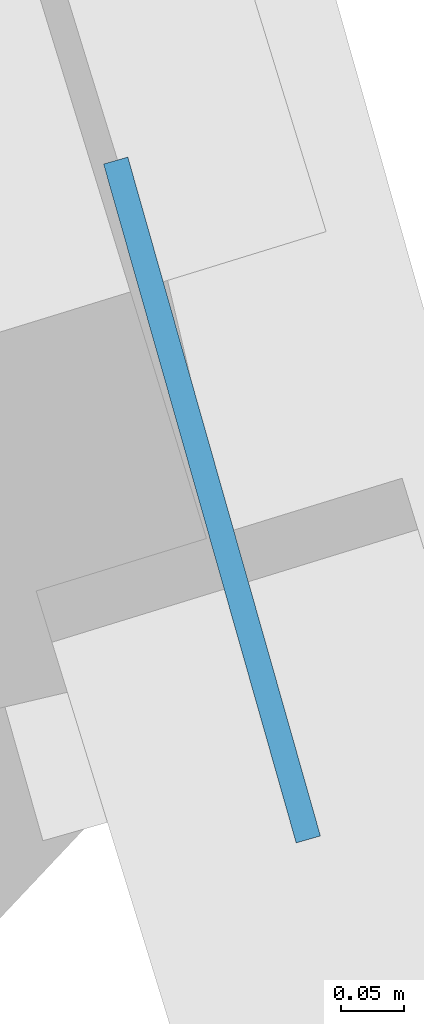
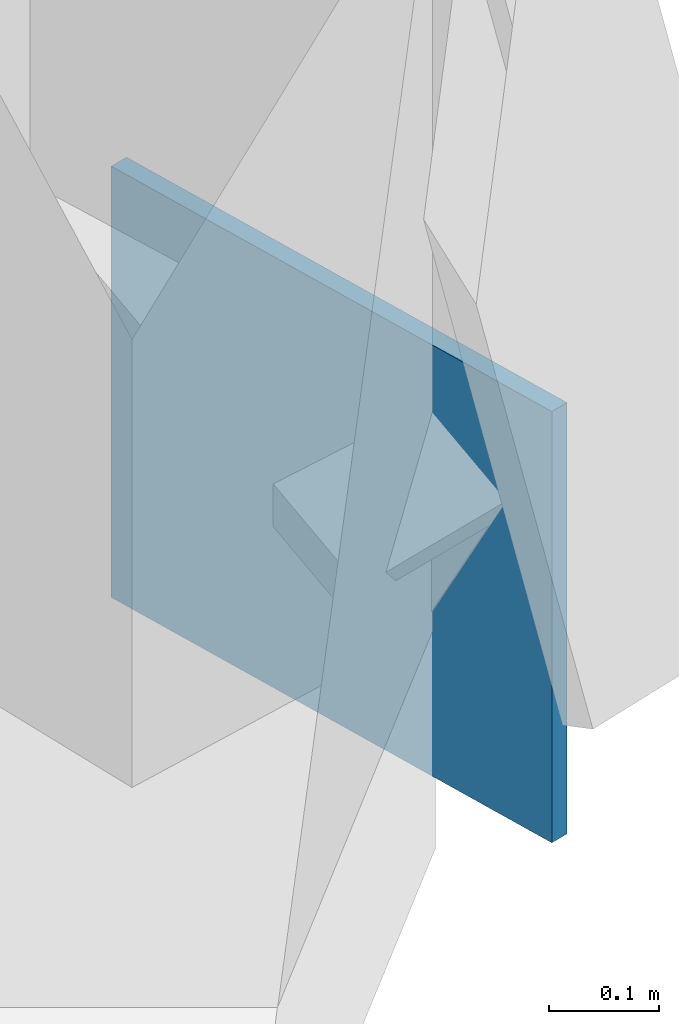
# One storey, part 12 of 22: 1 plate.
"""IFC4 building model written with IfcOpenShell, lengths in metres."""

from ifc_helpers import new_model, si_unit, direction, frame, origin, origin_2d, place, context, subcontext, project, spatial, rectangle, extrude, source, transform, mapped, material, type_object, element, save


model = new_model("IFC4")

# Units and contexts
model_context = context("Model", 3, precision=1e-05, world=origin(), true_north=direction((0.0, 1.0)))
body_context = subcontext(model_context, "Body", "Model", "MODEL_VIEW")
ifc_project = project(units=[si_unit("LENGTHUNIT", "METRE"), si_unit("AREAUNIT", "SQUARE_METRE"), si_unit("VOLUMEUNIT", "CUBIC_METRE"), si_unit("PLANEANGLEUNIT", "RADIAN"), si_unit("MASSUNIT", "GRAM", prefix="KILO")], contexts=[model_context])

# Site, building, storey
site_placement = place(None, origin())
site = spatial("IfcSite", under=ifc_project, at=site_placement, CompositionType="ELEMENT")
building_placement = place(site_placement, origin())
building = spatial("IfcBuilding", under=site, at=building_placement, Name="Olszyna Solenne Hotel", CompositionType="ELEMENT")
storey_placement = place(building_placement, frame((0.0, 0.0, 95.050048828125)))
storey = spatial("IfcBuildingStorey", under=building, at=storey_placement, Name="L24", CompositionType="ELEMENT", Elevation=95.050048828125)

# Plate
ifc_material = material(Name="Steel S355J2", Category="steel")
plate_type = type_object("IfcPlateType", Name="GP-ND2", PredefinedType="USERDEFINED", material=ifc_material)
shared_shape = source(origin(), body_context, "Body", "SweptSolid", [
    extrude(rectangle(XDim=0.56005859375, YDim=0.02001953125, at=origin_2d()), origin(), (0.0, 0.0, 1.0), 0.47998046875),
])
plate_placement = place(storey_placement, frame((67.885986328125, 31.770751953125, -0.161865234375), z_axis=(0.0, 0.0, 1.0), x_axis=(-0.272951935517, 0.962027671586, 0.0)))
element("IfcPlate", 1, at=plate_placement, inside=storey, type_object=plate_type, Name="Brace end connection gusset plate GP-ND2 EP-BR-L24-1-1", ObjectType="GUSSET_PLATE", PredefinedType="USERDEFINED", context=body_context, shape_type="MappedRepresentation", body=[
    mapped(shared_shape, transform((0.0, 0.0, 0.0), x_axis=(1.0, 0.0, 0.0), y_axis=(0.0, 1.0, 0.0), z_axis=(0.0, 0.0, 1.0), scale=1.0)),
])

save(model, "model.ifc")
